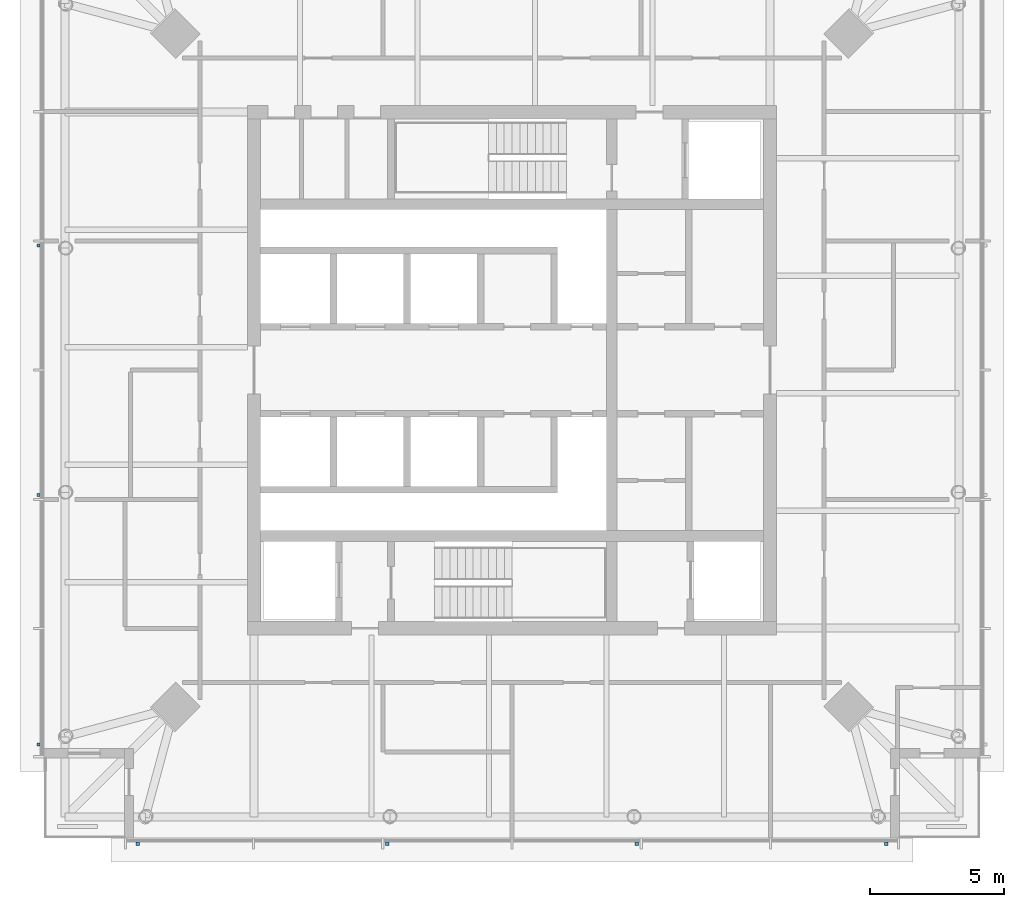
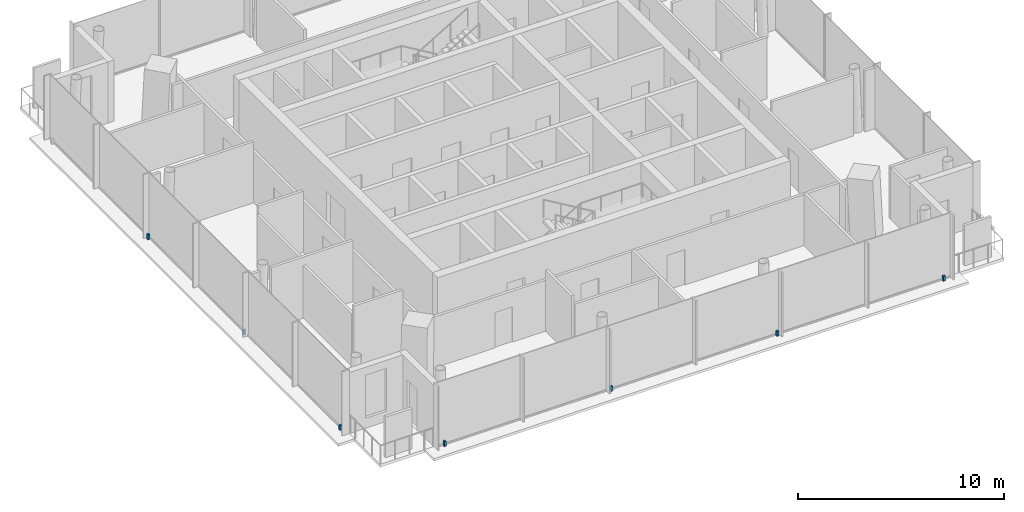
# One storey, part 7 of 11: 7 discrete accessories.
"""IFC4 building model written with IfcOpenShell, lengths in metres."""

from ifc_helpers import new_model, si_unit, direction, frame, origin, origin_2d, place, context, subcontext, project, spatial, rectangle, extrude, material, type_object, element, save


model = new_model("IFC4")

# Units and contexts
model_context = context("Model", 3, precision=1e-05, world=origin(), true_north=direction((0.0, 1.0)))
body_context = subcontext(model_context, "Body", "Model", "MODEL_VIEW")
ifc_project = project(units=[si_unit("LENGTHUNIT", "METRE"), si_unit("AREAUNIT", "SQUARE_METRE"), si_unit("VOLUMEUNIT", "CUBIC_METRE"), si_unit("PLANEANGLEUNIT", "RADIAN"), si_unit("MASSUNIT", "GRAM", prefix="KILO")], contexts=[model_context])

# Site, building, storey
site_placement = place(None, origin())
site = spatial("IfcSite", under=ifc_project, at=site_placement, CompositionType="ELEMENT")
building_placement = place(site_placement, origin())
building = spatial("IfcBuilding", under=site, at=building_placement, Name="Ostroluk Exchange", CompositionType="ELEMENT")
storey_placement = place(building_placement, frame((0.0, 0.0, 249.0)))
storey = spatial("IfcBuildingStorey", under=building, at=storey_placement, Name="L64", CompositionType="ELEMENT", Elevation=249.0)

# Discrete accessories
ifc_material = material(Name="Stainless steel", Category="steel")
discrete_accessory_type = type_object("IfcDiscreteAccessoryType", Name="Fall-arrest anchor PN-EN 795 type C", PredefinedType="USERDEFINED", material=ifc_material)
for number, where, z_axis, x_axis, name in (
    (1, (31.0, 28.2900390625, 0.0), (0.0, 0.0, 1.0), (1.0, 0.0, 0.0), "Fall-arrest anchor L64 south 1"),
    (2, (40.333251953125, 28.2900390625, 0.0), (0.0, 0.0, 1.0), (1.0, 0.0, 0.0), "Fall-arrest anchor L64 south 2"),
    (3, (49.666748046875, 28.2900390625, 0.0), (0.0, 0.0, 1.0), (1.0, 0.0, 0.0), "Fall-arrest anchor L64 south 3"),
    (4, (59.0, 28.2900390625, 0.0), (0.0, 0.0, 1.0), (1.0, 0.0, 0.0), "Fall-arrest anchor L64 south 4"),
    (5, (27.2900390625, 32.0, 0.0), (0.0, 0.0, 1.0), (1.0, 0.0, 0.0), "Fall-arrest anchor L64 west 1"),
    (6, (27.2900390625, 41.333251953125, 0.0), (0.0, 0.0, 1.0), (1.0, 0.0, 0.0), "Fall-arrest anchor L64 west 2"),
    (7, (27.2900390625, 50.666748046875, 0.0), (0.0, 0.0, 1.0), (1.0, 0.0, 0.0), "Fall-arrest anchor L64 west 3"),
):
    element("IfcDiscreteAccessory", number, at=place(storey_placement, frame(where, z_axis=z_axis, x_axis=x_axis)), inside=storey, type_object=discrete_accessory_type, Name=name, ObjectType="FALL ARREST ANCHOR", PredefinedType="USERDEFINED", context=body_context, shape_type="SweptSolid", body=[
        extrude(rectangle(XDim=0.1201171875, YDim=0.1201171875, at=origin_2d()), origin(), (0.0, 0.0, 1.0), 0.300048828125),
    ])

save(model, "model.ifc")
